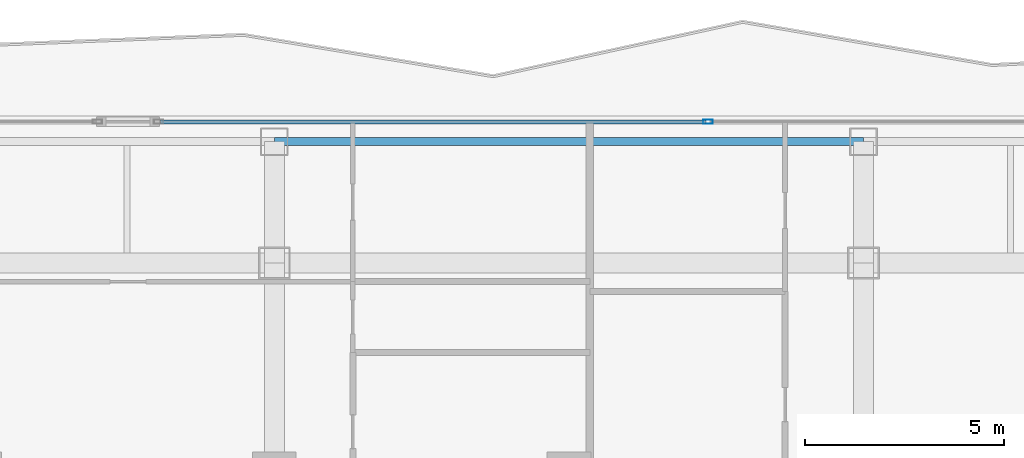
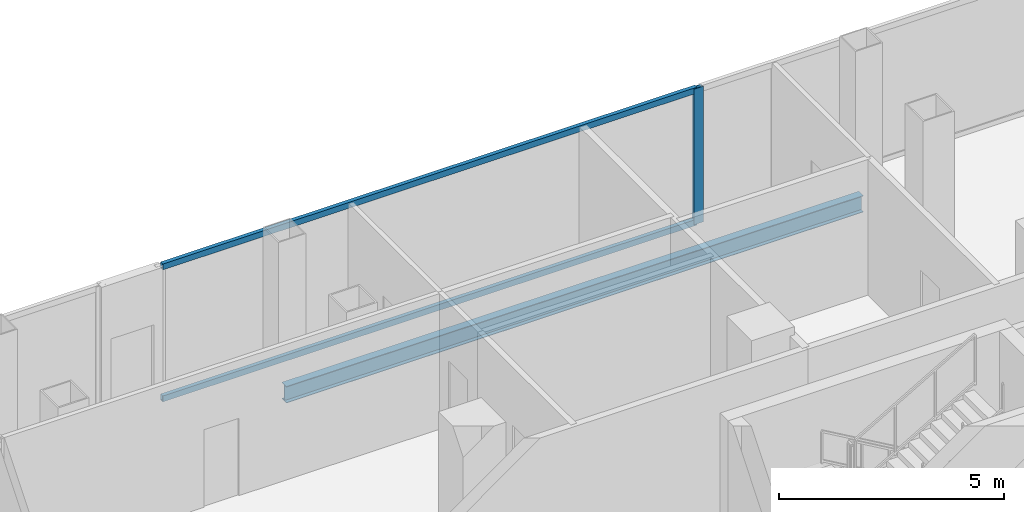
# One storey, part 14 of 27: 3 members, 1 beam, 1 element without a shape of its own.
"""IFC4 building model written with IfcOpenShell, lengths in metres."""

import ifcopenshell
import ifcopenshell.guid

model = None  # the IFC model being written
_history = None  # IfcOwnerHistory: only IFC2X3 demands one
_inside = {}  # id of a spatial element -> (the spatial element, [elements in it])
_under = {}  # id of a project, library or spatial element -> (it, [spatial elements below it])
_declared = {}  # id of a project -> (the project, [libraries it declares])
_typed = {}  # id of a type object -> (the type object, [elements of that type])
_made_of = {}  # id of a material, layer set ... -> (it, [elements and type objects made of it])


def new_model(schema):
    """Start an empty IFC model of exactly this schema.

    Asked for "IFC4X3", IfcOpenShell would pick the latest addendum, in which some entities
    have other attributes; the version numbers below select the first issue.
    IFC2X3 requires an IfcOwnerHistory on every rooted entity: one is made here for all.
    """
    global model, _history
    if schema == "IFC4X3":
        model = ifcopenshell.file(schema_version=(4, 3, 0, 0))
    else:
        model = ifcopenshell.file(schema=schema)
    _inside.clear()
    _under.clear()
    _declared.clear()
    _typed.clear()
    _made_of.clear()
    _history = None
    if model.schema == "IFC2X3":
        org = make("IfcOrganization", Name="unknown")
        user = make(
            "IfcPersonAndOrganization",
            ThePerson=make("IfcPerson", FamilyName="unknown"),
            TheOrganization=org,
        )
        app = make(
            "IfcApplication",
            ApplicationDeveloper=org,
            Version="unknown",
            ApplicationFullName="unknown",
            ApplicationIdentifier="unknown",
        )
        _history = make(
            "IfcOwnerHistory",
            OwningUser=user,
            OwningApplication=app,
            ChangeAction="ADDED",
            CreationDate=0,
        )
    return model


def make(cls, **values):
    """One entity of the class cls with the attributes given. An attribute that is None is left unset."""
    return model.create_entity(
        cls, **{name: value for name, value in values.items() if value is not None}
    )


def rooted(cls, **values):
    """An entity with a GlobalId (a new one), such as an element, a storey or a relation."""
    return make(cls, GlobalId=ifcopenshell.guid.new(), OwnerHistory=_history, **values)


def si_unit(unit_type, name, prefix=None):
    """IfcSIUnit, for example si_unit("LENGTHUNIT", "METRE", prefix="MILLI")."""
    return make("IfcSIUnit", UnitType=unit_type, Prefix=prefix, Name=name)


def assignment(units):
    """IfcUnitAssignment: the units of a project."""
    return None if units is None else make("IfcUnitAssignment", Units=units)


def point(xyz):
    """IfcCartesianPoint."""
    return None if xyz is None else make("IfcCartesianPoint", Coordinates=xyz)


def direction(xyz):
    """IfcDirection."""
    return None if xyz is None else make("IfcDirection", DirectionRatios=xyz)


def frame(location, z_axis=None, x_axis=None):
    """IfcAxis2Placement3D, a coordinate frame: its origin and axes. An axis left out is left unset."""
    return make(
        "IfcAxis2Placement3D",
        Location=point(location),
        Axis=direction(z_axis),
        RefDirection=direction(x_axis),
    )


def frame_2d(location, x_axis=None):
    """IfcAxis2Placement2D, a coordinate frame in the plane: its origin and x axis."""
    return make(
        "IfcAxis2Placement2D", Location=point(location), RefDirection=direction(x_axis)
    )


def origin():
    """The frame at (0, 0, 0) with its axes left unset."""
    return frame((0.0, 0.0, 0.0))


def origin_2d():
    """The frame at (0, 0) in the plane with its x axis left unset."""
    return frame_2d((0.0, 0.0))


def place(relative_to, where):
    """IfcLocalPlacement: puts the frame where relative to a parent placement (None: the world)."""
    return make(
        "IfcLocalPlacement", PlacementRelTo=relative_to, RelativePlacement=where
    )


def context(
    kind, dimensions, precision=None, world=None, true_north=None, identifier=None
):
    """IfcGeometricRepresentationContext, for example the 3D "Model" context."""
    return make(
        "IfcGeometricRepresentationContext",
        ContextIdentifier=identifier,
        ContextType=kind,
        CoordinateSpaceDimension=dimensions,
        Precision=precision,
        WorldCoordinateSystem=world,
        TrueNorth=true_north,
    )


def subcontext(parent, identifier, kind, view, scale=None):
    """IfcGeometricRepresentationSubContext, for example "Body" below "Model"."""
    return make(
        "IfcGeometricRepresentationSubContext",
        ContextIdentifier=identifier,
        ContextType=kind,
        ParentContext=parent,
        TargetScale=scale,
        TargetView=view,
    )


def project(units=None, contexts=None):
    """IfcProject with its units and contexts."""
    return rooted(
        "IfcProject",
        Name="project",
        RepresentationContexts=contexts,
        UnitsInContext=assignment(units),
    )


def spatial(cls, under=None, at=None, **own):
    """A site, building, storey or space (cls), placed at a placement, below another one or the project."""
    s = rooted(cls, ObjectPlacement=at, **own)
    if under is not None:
        _under.setdefault(under.id(), (under, []))[1].append(s)
    return s


def profile(cls, at=None, kind="AREA", **sizes):
    """A parametric profile (cls). Its sizes go by their IFC names, for example OverallWidth=200.0."""
    return make(cls, ProfileType=kind, Position=at, **sizes)


def hollow_rectangle(**sizes):
    """IfcRectangleHollowProfileDef."""
    return profile("IfcRectangleHollowProfileDef", **sizes)


def i_section(**sizes):
    """IfcIShapeProfileDef."""
    return profile("IfcIShapeProfileDef", **sizes)


def extrude(swept, where, along, depth):
    """IfcExtrudedAreaSolid: the profile swept, set in the frame where, extruded along a direction by depth."""
    return make(
        "IfcExtrudedAreaSolid",
        SweptArea=swept,
        Position=where,
        ExtrudedDirection=direction(along),
        Depth=depth,
    )


def shape(context_of_items, identifier, shape_type, items):
    """IfcShapeRepresentation: the items that make up one representation, for example the "Body"."""
    return make(
        "IfcShapeRepresentation",
        ContextOfItems=context_of_items,
        RepresentationIdentifier=identifier,
        RepresentationType=shape_type,
        Items=items,
    )


def material(Name=None, Category=None):
    """IfcMaterial."""
    return make("IfcMaterial", Name=Name, Category=Category)


def layer(
    of_material, thickness, ventilated=None, Name=None, Category=None, Priority=None
):
    """IfcMaterialLayer: one layer of a wall or slab, of a material (None: an air gap)."""
    return make(
        "IfcMaterialLayer",
        Material=of_material,
        LayerThickness=thickness,
        IsVentilated=ventilated,
        Name=Name,
        Category=Category,
        Priority=Priority,
    )


def layer_set(layers, Name=None):
    """IfcMaterialLayerSet."""
    return make("IfcMaterialLayerSet", MaterialLayers=layers, LayerSetName=Name)


def material_profile(
    of_material, cross_section, Name=None, Category=None, Priority=None
):
    """IfcMaterialProfile: a cross section and its material."""
    return make(
        "IfcMaterialProfile",
        Name=Name,
        Material=of_material,
        Profile=cross_section,
        Priority=Priority,
        Category=Category,
    )


def profile_set(profiles, Name=None, composite=None):
    """IfcMaterialProfileSet."""
    return make(
        "IfcMaterialProfileSet",
        Name=Name,
        MaterialProfiles=profiles,
        CompositeProfile=composite,
    )


def made_of(thing, what):
    """Note that an element or type object is made of a material, layer set ...; save() writes the relation."""
    if what is not None:
        _made_of.setdefault(what.id(), (what, []))[1].append(thing)
    return thing


def type_object(cls, material=None, **own):
    """A type object (cls), such as IfcWallType, which elements share."""
    return made_of(rooted(cls, **own), material)


def element(
    cls,
    number,
    at=None,
    inside=None,
    cuts=None,
    type_object=None,
    material=None,
    context=None,
    identifier="Body",
    shape_type=None,
    held_by="IfcProductDefinitionShape",
    body=None,
    shapes=None,
    **own,
):
    """One element of the class cls, such as IfcWall. Its Tag is "e" and its number.

    at: its placement. inside: the storey or other place that contains it. cuts: it is an
    opening in that element (IfcRelVoidsElement). A single representation is given by context,
    identifier, shape_type and body (its items); several are given by shapes. held_by: the class
    of the entity that holds the representations. save() writes the other relations.
    """
    e = rooted(cls, Tag="e%d" % number, ObjectPlacement=at, **own)
    if body is not None:
        shapes = [shape(context, identifier, shape_type, body)]
    if shapes is not None:
        e.Representation = make(held_by, Representations=shapes)
    if inside is not None:
        _inside.setdefault(inside.id(), (inside, []))[1].append(e)
    if cuts is not None:
        rooted(
            "IfcRelVoidsElement", RelatingBuildingElement=cuts, RelatedOpeningElement=e
        )
    if type_object is not None:
        _typed.setdefault(type_object.id(), (type_object, []))[1].append(e)
    return made_of(e, material)


def aggregate(whole, parts):
    """IfcRelAggregates: a whole, such as a stair, and the parts it consists of."""
    return rooted("IfcRelAggregates", RelatingObject=whole, RelatedObjects=parts)


def save(model, path):
    """Write the relations noted so far, then the file.

    IfcRelAggregates (storeys below a building ...), IfcRelContainedInSpatialStructure (elements
    in a storey), IfcRelDefinesByType, IfcRelAssociatesMaterial and IfcRelDeclares: one each for
    every whole, place, type object, material and project.
    """
    for whole, parts in _under.values():
        aggregate(whole, parts)
    for where, things in _inside.values():
        rooted(
            "IfcRelContainedInSpatialStructure",
            RelatedElements=things,
            RelatingStructure=where,
        )
    for kind, things in _typed.values():
        rooted("IfcRelDefinesByType", RelatedObjects=things, RelatingType=kind)
    for what, things in _made_of.values():
        rooted("IfcRelAssociatesMaterial", RelatedObjects=things, RelatingMaterial=what)
    for by, libraries in _declared.values():
        rooted("IfcRelDeclares", RelatingContext=by, RelatedDefinitions=libraries)
    model.write(path)


model = new_model("IFC4")

# Units and contexts
model_context = context("Model", 3, precision=1e-05, world=origin(), true_north=direction((0.0, 1.0)))
body_context = subcontext(model_context, "Body", "Model", "MODEL_VIEW")
ifc_project = project(units=[si_unit("LENGTHUNIT", "METRE"), si_unit("AREAUNIT", "SQUARE_METRE"), si_unit("VOLUMEUNIT", "CUBIC_METRE"), si_unit("PLANEANGLEUNIT", "RADIAN"), si_unit("MASSUNIT", "GRAM", prefix="KILO")], contexts=[model_context])

# Site, building, storey
site_placement = place(None, origin())
site = spatial("IfcSite", under=ifc_project, at=site_placement, CompositionType="ELEMENT")
building_placement = place(site_placement, origin())
building = spatial("IfcBuilding", under=site, at=building_placement, Name="Khorvyn Point Tower", CompositionType="ELEMENT")
storey_placement = place(building_placement, frame((0.0, 0.0, 168.0)))
storey = spatial("IfcBuildingStorey", under=building, at=storey_placement, Name="L41", CompositionType="ELEMENT", Elevation=168.0)

# Curtain wall, members
ifc_material_1 = material(Name="Anodised aluminium 6063-T6 and laminated Low-E glass", Category="aluminium")
ifc_layer = layer(ifc_material_1, 0.18994140625)
ifc_layer_set = layer_set([ifc_layer], Name="Stick-Built Acoustic Curtain Wall CW-SYS-03")
curtain_wall_type = type_object("IfcCurtainWallType", Name="Stick-Built Acoustic Curtain Wall CW-SYS-03", PredefinedType="NOTDEFINED", material=ifc_layer_set)
curtain_wall_placement = place(storey_placement, origin())
curtain_wall = element("IfcCurtainWall", 1, at=curtain_wall_placement, inside=storey, type_object=curtain_wall_type, Name="Curtain Wall", PredefinedType="NOTDEFINED")
ifc_material_2 = material(Name="Anodised aluminium 6063-T6", Category="aluminium")
ifc_material_profile_1 = material_profile(ifc_material_2, hollow_rectangle(XDim=0.10009765625, YDim=0.239990234375, WallThickness=0.0048828125, at=origin_2d()))
ifc_profile_set_1 = profile_set([ifc_material_profile_1], Name="Anodised aluminium 6063-T6 ALU-MUL-100x240")
member_type_1 = type_object("IfcMemberType", Name="Anodised Aluminium 6063-T6 Mullion ALU-MUL-100x240", PredefinedType="MULLION", material=ifc_profile_set_1)
member_1_placement = place(storey_placement, frame((3.49658203125, 23.64990234375, 0.0), z_axis=(0.0, 0.0, 1.0), x_axis=(0.0, 1.0, 0.0)))
member_1 = element("IfcMember", 2, at=member_1_placement, type_object=member_type_1, Name="Transom", PredefinedType="MULLION", context=body_context, shape_type="SweptSolid", body=[
    extrude(hollow_rectangle(XDim=0.10009765625, YDim=0.239990234375, WallThickness=0.0048828125, at=origin_2d()), origin(), (0.0, 0.0, 1.0), 3.679931640625),
])
ifc_material_profile_2 = material_profile(ifc_material_2, hollow_rectangle(XDim=0.10009765625, YDim=0.159912109375, WallThickness=0.00439453125, at=origin_2d()))
ifc_profile_set_2 = profile_set([ifc_material_profile_2], Name="Anodised aluminium 6063-T6 ALU-TRN-100x160")
member_type_2 = type_object("IfcMemberType", Name="Anodised Aluminium 6063-T6 Transom ALU-TRN-100x160", PredefinedType="USERDEFINED", material=ifc_profile_set_2)
member_2_placement = place(storey_placement, frame((-10.257080078125, 23.64990234375, 0.050048828125), z_axis=(1.0, 0.0, 0.0), x_axis=(0.0, 1.0, 0.0)))
member_2 = element("IfcMember", 3, at=member_2_placement, type_object=member_type_2, Name="Transom", ObjectType="TRANSOM", PredefinedType="USERDEFINED", context=body_context, shape_type="SweptSolid", body=[
    extrude(hollow_rectangle(XDim=0.10009765625, YDim=0.159912109375, WallThickness=0.00439453125, at=origin_2d()), origin(), (0.0, 0.0, 1.0), 13.70361328125),
])
member_3_placement = place(storey_placement, frame((-10.257080078125, 23.64990234375, 3.6298828125), z_axis=(1.0, 0.0, 0.0), x_axis=(0.0, 1.0, 0.0)))
member_3 = element("IfcMember", 4, at=member_3_placement, type_object=member_type_2, Name="Transom", ObjectType="TRANSOM", PredefinedType="USERDEFINED", context=body_context, shape_type="SweptSolid", body=[
    extrude(hollow_rectangle(XDim=0.10009765625, YDim=0.159912109375, WallThickness=0.00439453125, at=origin_2d()), origin(), (0.0, 0.0, 1.0), 13.70361328125),
])
aggregate(curtain_wall, [member_1, member_2, member_3])

# Beam
ifc_material_3 = material(Name="Steel S355", Category="steel")
ifc_material_profile_3 = material_profile(ifc_material_3, i_section(OverallWidth=0.199951171875, OverallDepth=0.449951171875, WebThickness=0.009033203125, FlangeThickness=0.013916015625, at=origin_2d()))
ifc_profile_set_3 = profile_set([ifc_material_profile_3], Name="Steel S355 H450x200x9x14")
beam_type = type_object("IfcBeamType", Name="Steel S355 Spandrel H450x200x9x14", PredefinedType="SPANDREL", material=ifc_profile_set_3)
beam_placement = place(storey_placement, frame((-7.39990234375, 23.14990234375, -0.5048828125), z_axis=(1.0, 0.0, 0.0), x_axis=(0.0, 1.0, 0.0)))
element("IfcBeam", 5, at=beam_placement, inside=storey, type_object=beam_type, Name="Beam", PredefinedType="SPANDREL", context=body_context, shape_type="SweptSolid", body=[
    extrude(i_section(OverallWidth=0.199951171875, OverallDepth=0.449951171875, WebThickness=0.009033203125, FlangeThickness=0.013916015625, at=origin_2d()), origin(), (0.0, 0.0, 1.0), 14.7998046875),
])

save(model, "model.ifc")
